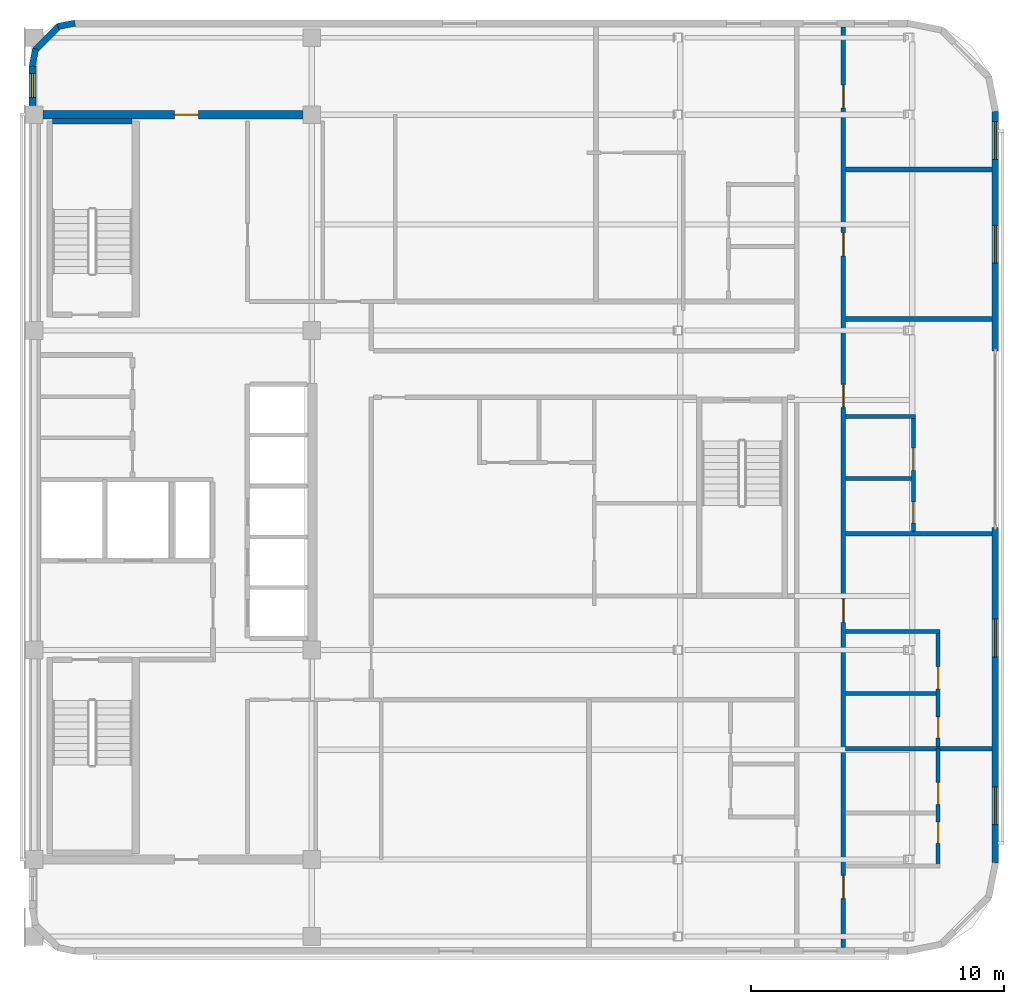
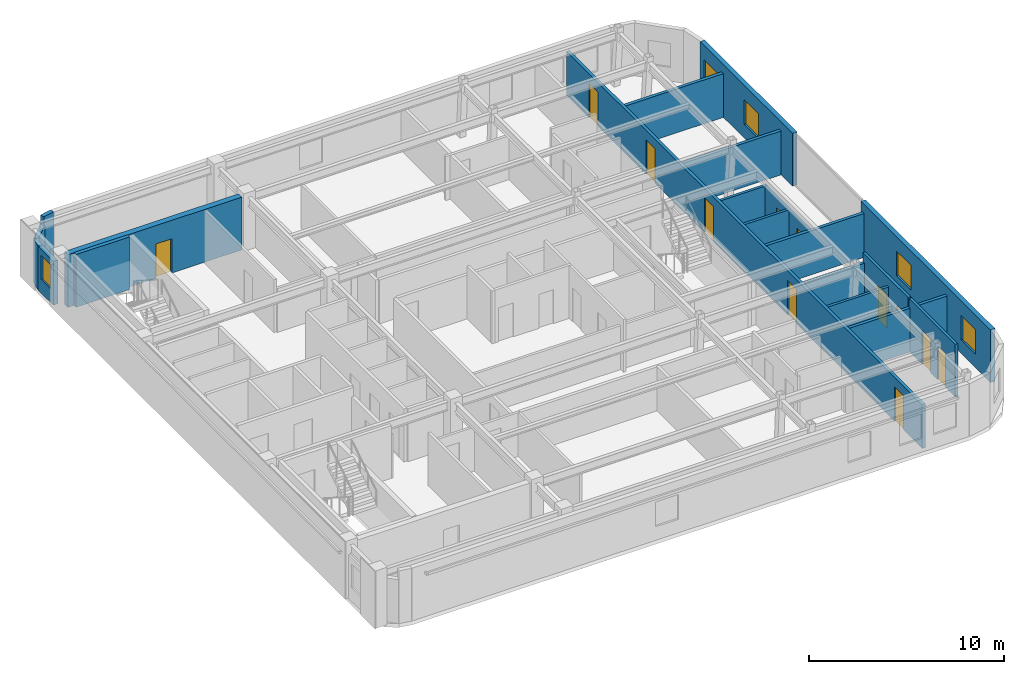
# One storey, part 6 of 11: 20 walls, 12 doors, 5 windows, 17 openings.
"""IFC4 building model written with IfcOpenShell, lengths in metres."""

from ifc_helpers import new_model, si_unit, direction, frame, frame_2d, origin, place, context, subcontext, project, spatial, rectangle, extrude, material, layer, layer_set, type_object, element, fill, save


model = new_model("IFC4")

# Units and contexts
model_context = context("Model", 3, precision=1e-05, world=origin(), true_north=direction((0.0, 1.0)))
body_context = subcontext(model_context, "Body", "Model", "MODEL_VIEW")
ifc_project = project(units=[si_unit("LENGTHUNIT", "METRE"), si_unit("AREAUNIT", "SQUARE_METRE"), si_unit("VOLUMEUNIT", "CUBIC_METRE"), si_unit("PLANEANGLEUNIT", "RADIAN"), si_unit("MASSUNIT", "GRAM", prefix="KILO")], contexts=[model_context])

# Site, building, storey
site_placement = place(None, origin())
site = spatial("IfcSite", under=ifc_project, at=site_placement, CompositionType="ELEMENT")
building_placement = place(site_placement, origin())
building = spatial("IfcBuilding", under=site, at=building_placement, Name="Ochreholt Gables", CompositionType="ELEMENT")
storey_placement = place(building_placement, frame((0.0, 0.0, 278.39990234375)))
storey = spatial("IfcBuildingStorey", under=building, at=storey_placement, Name="L73", CompositionType="ELEMENT", Elevation=278.39990234375)

# Wall, opening, door
ifc_material_1 = material(Name="Concrete 50 MPa", Category="concrete")
ifc_layer_1 = layer(ifc_material_1, 0.35009765625, Name="Concrete 50 MPa")
ifc_layer_set_1 = layer_set([ifc_layer_1], Name="Concrete 50 MPa")
wall_type_1 = type_object("IfcWallType", Name="WALL-CSW-350", PredefinedType="SHEAR", material=ifc_layer_set_1)
wall_1_placement = place(storey_placement, frame((24.550048828125, 38.75, 0.0), z_axis=(0.0, 0.0, 1.0), x_axis=(1.0, 0.0, 0.0)))
wall_1 = element("IfcWall", 1, at=wall_1_placement, inside=storey, type_object=wall_type_1, Name="L73 Core North Shear Wall", PredefinedType="SHEAR", context=body_context, shape_type="SweptSolid", body=[
    extrude(rectangle(XDim=10.300048828125, YDim=0.35009765625, at=frame_2d((5.14990234375, 0.0))), origin(), (0.0, 0.0, 1.0), 3.300048828125),
])
opening_1_placement = place(wall_1_placement, frame((5.199951171875, 0.0, 0.0)))
opening_1 = element("IfcOpeningElement", 2, at=opening_1_placement, cuts=wall_1, Name="Opening D-FL2", PredefinedType="OPENING", context=body_context, shape_type="SweptSolid", body=[
    extrude(rectangle(XDim=0.949951171875, YDim=2.14990234375, at=frame_2d((0.47509765625, 1.074951171875))), frame((0.0, 0.18505859375, 0.0), z_axis=(0.0, -1.0, 0.0), x_axis=(1.0, 0.0, 0.0)), (0.0, 0.0, 1.0), 0.3701171875),
])
ifc_material_2 = material(Name="Hollow Metal Steel", Category="steel")
door_type_1 = type_object("IfcDoorType", Name="DR-INT-FLB950", OperationType="NOTDEFINED", PredefinedType="DOOR", material=ifc_material_2)
door_1_placement = place(opening_1_placement, origin())
door_1 = element("IfcDoor", 3, at=door_1_placement, inside=storey, type_object=door_type_1, Name="L73 Door D-C3NSR-L73", OperationType="SINGLE_SWING_RIGHT", OverallHeight=2.14990234375, OverallWidth=0.949951171875, PredefinedType="DOOR", context=body_context, shape_type="SweptSolid", body=[
    extrude(rectangle(XDim=0.949951171875, YDim=2.14990234375, at=frame_2d((0.47509765625, 1.074951171875))), frame((0.0, 0.02490234375, 0.0), z_axis=(0.0, -1.0, 0.0), x_axis=(1.0, 0.0, 0.0)), (0.0, 0.0, 1.0), 0.050048828125),
])
fill(opening_1, door_1)

# Wall, openings, windows
ifc_material_3 = material(Name="Precast concrete 40 MPa", Category="concrete")
ifc_layer_2 = layer(ifc_material_3, 0.27001953125, Name="Precast concrete 40 MPa")
ifc_layer_set_2 = layer_set([ifc_layer_2], Name="Precast concrete 40 MPa")
wall_type_2 = type_object("IfcWallType", Name="WALL-EXT-270", PredefinedType="SOLIDWALL", material=ifc_layer_set_2)
wall_2_placement = place(storey_placement, frame((62.264892578125, 9.1201171875, 0.0), z_axis=(0.0, 0.0, 1.0), x_axis=(0.0, 1.0, 0.0)))
wall_2 = element("IfcWall", 4, at=wall_2_placement, inside=storey, type_object=wall_type_2, Name="L73 East Facade Wall 1", PredefinedType="SOLIDWALL", context=body_context, shape_type="SweptSolid", body=[
    extrude(rectangle(XDim=13.27978515625, YDim=0.27001953125, at=frame_2d((6.639892578125, 0.0))), origin(), (0.0, 0.0, 1.0), 3.300048828125),
])
opening_2_placement = place(wall_2_placement, frame((1.510009765625, 0.0, 0.85009765625)))
opening_2 = element("IfcOpeningElement", 5, at=opening_2_placement, cuts=wall_2, Name="Opening WN-2", PredefinedType="OPENING", context=body_context, shape_type="SweptSolid", body=[
    extrude(rectangle(XDim=1.5, YDim=1.550048828125, at=frame_2d((0.75, 0.77490234375))), frame((0.0, 0.14501953125, 0.0), z_axis=(0.0, -1.0, 0.0), x_axis=(1.0, 0.0, 0.0)), (0.0, 0.0, 1.0), 0.2900390625),
])
opening_3_placement = place(wall_2_placement, frame((8.14990234375, 0.0, 0.85009765625)))
opening_3 = element("IfcOpeningElement", 6, at=opening_3_placement, cuts=wall_2, Name="Opening WN-2", PredefinedType="OPENING", context=body_context, shape_type="SweptSolid", body=[
    extrude(rectangle(XDim=1.5, YDim=1.550048828125, at=frame_2d((0.75, 0.77490234375))), frame((0.0, 0.14501953125, 0.0), z_axis=(0.0, -1.0, 0.0), x_axis=(1.0, 0.0, 0.0)), (0.0, 0.0, 1.0), 0.2900390625),
])
ifc_material_4 = material(Name="Triple-Glazed Thermally Broken Aluminium Window", Category="aluminium")
window_type_1 = type_object("IfcWindowType", Name="WIN-RES-1500", PartitioningType="SINGLE_PANEL", PredefinedType="WINDOW", material=ifc_material_4)
window_1_placement = place(opening_2_placement, origin())
window_1 = element("IfcWindow", 7, at=window_1_placement, inside=storey, type_object=window_type_1, Name="L73 Window W-EXT-E1-L73-1", OverallHeight=1.550048828125, OverallWidth=1.5, PartitioningType="SINGLE_PANEL", PredefinedType="WINDOW", context=body_context, shape_type="SweptSolid", body=[
    extrude(rectangle(XDim=1.5, YDim=1.550048828125, at=frame_2d((0.75, 0.77490234375))), frame((0.0, 0.030029296875, 0.0), z_axis=(0.0, -1.0, 0.0), x_axis=(1.0, 0.0, 0.0)), (0.0, 0.0, 1.0), 0.06005859375),
])
fill(opening_2, window_1)
window_2_placement = place(opening_3_placement, origin())
window_2 = element("IfcWindow", 8, at=window_2_placement, inside=storey, type_object=window_type_1, Name="L73 Window W-EXT-E1-L73-2", OverallHeight=1.550048828125, OverallWidth=1.5, PartitioningType="SINGLE_PANEL", PredefinedType="WINDOW", context=body_context, shape_type="SweptSolid", body=[
    extrude(rectangle(XDim=1.5, YDim=1.550048828125, at=frame_2d((0.75, 0.77490234375))), frame((0.0, 0.030029296875, 0.0), z_axis=(0.0, -1.0, 0.0), x_axis=(1.0, 0.0, 0.0)), (0.0, 0.0, 1.0), 0.06005859375),
])
fill(opening_3, window_2)

wall_3_placement = place(storey_placement, frame((62.264892578125, 29.39990234375, 0.0), z_axis=(0.0, 0.0, 1.0), x_axis=(0.0, 1.0, 0.0)))
wall_3 = element("IfcWall", 9, at=wall_3_placement, inside=storey, type_object=wall_type_2, Name="L73 East Facade Wall 2", PredefinedType="SOLIDWALL", context=body_context, shape_type="SweptSolid", body=[
    extrude(rectangle(XDim=9.47998046875, YDim=0.27001953125, at=frame_2d((4.739990234375, 0.0))), origin(), (0.0, 0.0, 1.0), 3.300048828125),
])
opening_4_placement = place(wall_3_placement, frame((3.469970703125, 0.0, 0.85009765625)))
opening_4 = element("IfcOpeningElement", 10, at=opening_4_placement, cuts=wall_3, Name="Opening WN-2", PredefinedType="OPENING", context=body_context, shape_type="SweptSolid", body=[
    extrude(rectangle(XDim=1.5, YDim=1.550048828125, at=frame_2d((0.75, 0.77490234375))), frame((0.0, 0.14501953125, 0.0), z_axis=(0.0, -1.0, 0.0), x_axis=(1.0, 0.0, 0.0)), (0.0, 0.0, 1.0), 0.2900390625),
])
opening_5_placement = place(wall_3_placement, frame((7.580078125, 0.0, 0.85009765625)))
opening_5 = element("IfcOpeningElement", 11, at=opening_5_placement, cuts=wall_3, Name="Opening WN-2", PredefinedType="OPENING", context=body_context, shape_type="SweptSolid", body=[
    extrude(rectangle(XDim=1.5, YDim=1.550048828125, at=frame_2d((0.75, 0.77490234375))), frame((0.0, 0.14501953125, 0.0), z_axis=(0.0, -1.0, 0.0), x_axis=(1.0, 0.0, 0.0)), (0.0, 0.0, 1.0), 0.2900390625),
])
window_3_placement = place(opening_4_placement, origin())
window_3 = element("IfcWindow", 12, at=window_3_placement, inside=storey, type_object=window_type_1, Name="L73 Window W-EXT-E2-L73-1", OverallHeight=1.550048828125, OverallWidth=1.5, PartitioningType="SINGLE_PANEL", PredefinedType="WINDOW", context=body_context, shape_type="SweptSolid", body=[
    extrude(rectangle(XDim=1.5, YDim=1.550048828125, at=frame_2d((0.75, 0.77490234375))), frame((0.0, 0.030029296875, 0.0), z_axis=(0.0, -1.0, 0.0), x_axis=(1.0, 0.0, 0.0)), (0.0, 0.0, 1.0), 0.06005859375),
])
fill(opening_4, window_3)
window_4_placement = place(opening_5_placement, origin())
window_4 = element("IfcWindow", 13, at=window_4_placement, inside=storey, type_object=window_type_1, Name="L73 Window W-EXT-E2-L73-2", OverallHeight=1.550048828125, OverallWidth=1.5, PartitioningType="SINGLE_PANEL", PredefinedType="WINDOW", context=body_context, shape_type="SweptSolid", body=[
    extrude(rectangle(XDim=1.5, YDim=1.550048828125, at=frame_2d((0.75, 0.77490234375))), frame((0.0, 0.030029296875, 0.0), z_axis=(0.0, -1.0, 0.0), x_axis=(1.0, 0.0, 0.0)), (0.0, 0.0, 1.0), 0.06005859375),
])
fill(opening_5, window_4)

# Wall, opening, window
wall_4_placement = place(storey_placement, frame((24.135009765625, 39.1201171875, 0.0), z_axis=(0.0, 0.0, 1.0), x_axis=(0.0, 1.0, 0.0)))
wall_4 = element("IfcWall", 14, at=wall_4_placement, inside=storey, type_object=wall_type_2, Name="L73 West Facade North Bay Wall", PredefinedType="SOLIDWALL", context=body_context, shape_type="SweptSolid", body=[
    extrude(rectangle(XDim=1.559814453125, YDim=0.27001953125, at=frame_2d((0.77978515625, 0.0))), origin(), (0.0, 0.0, 1.0), 2.7431640625),
])
opening_6_placement = place(wall_4_placement, frame((0.304931640625, 0.0, 0.85009765625)))
opening_6 = element("IfcOpeningElement", 15, at=opening_6_placement, cuts=wall_4, Name="Opening WN-10", PredefinedType="OPENING", context=body_context, shape_type="SweptSolid", body=[
    extrude(rectangle(XDim=0.949951171875, YDim=1.5, at=frame_2d((0.47509765625, 0.75))), frame((0.0, 0.14501953125, 0.0), z_axis=(0.0, -1.0, 0.0), x_axis=(1.0, 0.0, 0.0)), (0.0, 0.0, 1.0), 0.2900390625),
])
window_type_2 = type_object("IfcWindowType", Name="WIN-RES-950", PartitioningType="SINGLE_PANEL", PredefinedType="WINDOW", material=ifc_material_4)
window_5_placement = place(opening_6_placement, origin())
window_5 = element("IfcWindow", 16, at=window_5_placement, inside=storey, type_object=window_type_2, Name="L73 North Sky Reading West Window", OverallHeight=1.5, OverallWidth=0.949951171875, PartitioningType="SINGLE_PANEL", PredefinedType="WINDOW", context=body_context, shape_type="SweptSolid", body=[
    extrude(rectangle(XDim=0.949951171875, YDim=1.5, at=frame_2d((0.47509765625, 0.75))), frame((0.0, 0.030029296875, 0.0), z_axis=(0.0, -1.0, 0.0), x_axis=(1.0, 0.0, 0.0)), (0.0, 0.0, 1.0), 0.06005859375),
])
fill(opening_6, window_5)

# Walls
ifc_layer_3 = layer(ifc_material_3, 0.25, Name="Precast concrete 40 MPa")
ifc_layer_set_3 = layer_set([ifc_layer_3], Name="Precast concrete 40 MPa")
wall_type_3 = type_object("IfcWallType", Name="WALL-EXT-CNR", PredefinedType="SOLIDWALL", material=ifc_layer_set_3)
wall_5_placement = place(storey_placement, frame((25.81640625, 42.375732421875, 0.0), z_axis=(0.0, 0.0, 1.0), x_axis=(-0.980812594069, -0.194952956674, 0.0)))
element("IfcWall", 17, at=wall_5_placement, inside=storey, type_object=wall_type_3, Name="L73 Rounded Corner Wall NW-1", PredefinedType="SOLIDWALL", context=body_context, shape_type="SweptSolid", body=[
    extrude(rectangle(XDim=0.686279296875, YDim=0.25, at=frame_2d((0.34326171875, 0.0))), origin(), (0.0, 0.0, 1.0), 3.300048828125),
])
wall_6_placement = place(storey_placement, frame((25.19384765625, 42.26904296875, 0.0), z_axis=(0.0, 0.0, 1.0), x_axis=(-0.707106781187, -0.707106781187, 0.0)))
element("IfcWall", 18, at=wall_6_placement, inside=storey, type_object=wall_type_3, Name="L73 Rounded Corner Wall NW-2", PredefinedType="SOLIDWALL", context=body_context, shape_type="SweptSolid", body=[
    extrude(rectangle(XDim=1.36181640625, YDim=0.25, at=frame_2d((0.680908203125, 0.0))), origin(), (0.0, 0.0, 1.0), 2.7431640625),
])
wall_7_placement = place(storey_placement, frame((24.258056640625, 41.356689453125, 0.0), z_axis=(0.0, 0.0, 1.0), x_axis=(-0.194952956674, -0.980812594069, 0.0)))
element("IfcWall", 19, at=wall_7_placement, inside=storey, type_object=wall_type_3, Name="L73 Rounded Corner Wall NW-3", PredefinedType="SOLIDWALL", context=body_context, shape_type="SweptSolid", body=[
    extrude(rectangle(XDim=0.686279296875, YDim=0.25, at=frame_2d((0.34326171875, 0.0))), origin(), (0.0, 0.0, 1.0), 2.7431640625),
])

# Wall, openings, doors
ifc_material_5 = material(Name="Fire-Rated Gypsum Acoustic Partition", Category="gypsum")
ifc_layer_4 = layer(ifc_material_5, 0.179931640625, Name="Fire-Rated Gypsum Acoustic Partition")
ifc_layer_set_4 = layer_set([ifc_layer_4], Name="Fire-Rated Gypsum Acoustic Partition")
wall_type_4 = type_object("IfcWallType", Name="WALL-INT-CR180", PredefinedType="STANDARD", material=ifc_layer_set_4)
wall_8_placement = place(storey_placement, frame((56.25, 5.77001953125, 0.0), z_axis=(0.0, 0.0, 1.0), x_axis=(0.0, 1.0, 0.0)))
wall_8 = element("IfcWall", 20, at=wall_8_placement, inside=storey, type_object=wall_type_4, Name="L73 Interior Wall WI-C3GE-L73", PredefinedType="STANDARD", context=body_context, shape_type="SweptSolid", body=[
    extrude(rectangle(XDim=36.4599609375, YDim=0.179931640625, at=frame_2d((18.22998046875, 0.0))), origin(), (0.0, 0.0, 1.0), 2.7431640625),
])
opening_7_placement = place(wall_8_placement, frame((1.929931640625, 0.0, 0.0)))
opening_7 = element("IfcOpeningElement", 21, at=opening_7_placement, cuts=wall_8, Name="Opening D-UN1", PredefinedType="OPENING", context=body_context, shape_type="SweptSolid", body=[
    extrude(rectangle(XDim=0.919921875, YDim=2.14990234375, at=frame_2d((0.4599609375, 1.074951171875))), frame((0.0, 0.099853515625, 0.0), z_axis=(0.0, -1.0, 0.0), x_axis=(1.0, 0.0, 0.0)), (0.0, 0.0, 1.0), 0.199951171875),
])
opening_8_placement = place(wall_8_placement, frame((12.8701171875, 0.0, 0.0)))
opening_8 = element("IfcOpeningElement", 22, at=opening_8_placement, cuts=wall_8, Name="Opening D-UN1", PredefinedType="OPENING", context=body_context, shape_type="SweptSolid", body=[
    extrude(rectangle(XDim=0.919921875, YDim=2.14990234375, at=frame_2d((0.4599609375, 1.074951171875))), frame((0.0, 0.099853515625, 0.0), z_axis=(0.0, -1.0, 0.0), x_axis=(1.0, 0.0, 0.0)), (0.0, 0.0, 1.0), 0.199951171875),
])
opening_9_placement = place(wall_8_placement, frame((21.3798828125, 0.0, 0.0)))
opening_9 = element("IfcOpeningElement", 23, at=opening_9_placement, cuts=wall_8, Name="Opening D-UN1", PredefinedType="OPENING", context=body_context, shape_type="SweptSolid", body=[
    extrude(rectangle(XDim=0.919921875, YDim=2.14990234375, at=frame_2d((0.4599609375, 1.074951171875))), frame((0.0, 0.099853515625, 0.0), z_axis=(0.0, -1.0, 0.0), x_axis=(1.0, 0.0, 0.0)), (0.0, 0.0, 1.0), 0.199951171875),
])
opening_10_placement = place(wall_8_placement, frame((27.389892578125, 0.0, 0.0)))
opening_10 = element("IfcOpeningElement", 24, at=opening_10_placement, cuts=wall_8, Name="Opening D-UN1", PredefinedType="OPENING", context=body_context, shape_type="SweptSolid", body=[
    extrude(rectangle(XDim=0.919921875, YDim=2.14990234375, at=frame_2d((0.4599609375, 1.074951171875))), frame((0.0, 0.099853515625, 0.0), z_axis=(0.0, -1.0, 0.0), x_axis=(1.0, 0.0, 0.0)), (0.0, 0.0, 1.0), 0.199951171875),
])
opening_11_placement = place(wall_8_placement, frame((33.235107421875, 0.0, 0.0)))
opening_11 = element("IfcOpeningElement", 25, at=opening_11_placement, cuts=wall_8, Name="Opening D-UN1", PredefinedType="OPENING", context=body_context, shape_type="SweptSolid", body=[
    extrude(rectangle(XDim=0.919921875, YDim=2.14990234375, at=frame_2d((0.4599609375, 1.074951171875))), frame((0.0, 0.099853515625, 0.0), z_axis=(0.0, -1.0, 0.0), x_axis=(1.0, 0.0, 0.0)), (0.0, 0.0, 1.0), 0.199951171875),
])
ifc_material_6 = material(Name="Engineered Oak Timber", Category="wood")
door_type_2 = type_object("IfcDoorType", Name="DR-INT-UNT920", OperationType="NOTDEFINED", PredefinedType="DOOR", material=ifc_material_6)
door_2_placement = place(opening_7_placement, origin())
door_2 = element("IfcDoor", 26, at=door_2_placement, inside=storey, type_object=door_type_2, Name="L73 Door D-U-L73E1-ENT", OperationType="SINGLE_SWING_RIGHT", OverallHeight=2.14990234375, OverallWidth=0.919921875, PredefinedType="DOOR", context=body_context, shape_type="SweptSolid", body=[
    extrude(rectangle(XDim=0.919921875, YDim=2.14990234375, at=frame_2d((0.4599609375, 1.074951171875))), frame((0.0, 0.02490234375, 0.0), z_axis=(0.0, -1.0, 0.0), x_axis=(1.0, 0.0, 0.0)), (0.0, 0.0, 1.0), 0.050048828125),
])
fill(opening_7, door_2)
door_3_placement = place(opening_8_placement, origin())
door_3 = element("IfcDoor", 27, at=door_3_placement, inside=storey, type_object=door_type_2, Name="L73 Door D-U-L73E2-ENT", OperationType="SINGLE_SWING_LEFT", OverallHeight=2.14990234375, OverallWidth=0.919921875, PredefinedType="DOOR", context=body_context, shape_type="SweptSolid", body=[
    extrude(rectangle(XDim=0.919921875, YDim=2.14990234375, at=frame_2d((0.4599609375, 1.074951171875))), frame((0.0, 0.02490234375, 0.0), z_axis=(0.0, -1.0, 0.0), x_axis=(1.0, 0.0, 0.0)), (0.0, 0.0, 1.0), 0.050048828125),
])
fill(opening_8, door_3)
door_4_placement = place(opening_9_placement, origin())
door_4 = element("IfcDoor", 28, at=door_4_placement, inside=storey, type_object=door_type_2, Name="L73 Door D-U-L73E3-ENT", OperationType="SINGLE_SWING_RIGHT", OverallHeight=2.14990234375, OverallWidth=0.919921875, PredefinedType="DOOR", context=body_context, shape_type="SweptSolid", body=[
    extrude(rectangle(XDim=0.919921875, YDim=2.14990234375, at=frame_2d((0.4599609375, 1.074951171875))), frame((0.0, 0.02490234375, 0.0), z_axis=(0.0, -1.0, 0.0), x_axis=(1.0, 0.0, 0.0)), (0.0, 0.0, 1.0), 0.050048828125),
])
fill(opening_9, door_4)
door_5_placement = place(opening_10_placement, origin())
door_5 = element("IfcDoor", 29, at=door_5_placement, inside=storey, type_object=door_type_2, Name="L73 Door D-U-L73E4-ENT", OperationType="SINGLE_SWING_LEFT", OverallHeight=2.14990234375, OverallWidth=0.919921875, PredefinedType="DOOR", context=body_context, shape_type="SweptSolid", body=[
    extrude(rectangle(XDim=0.919921875, YDim=2.14990234375, at=frame_2d((0.4599609375, 1.074951171875))), frame((0.0, 0.02490234375, 0.0), z_axis=(0.0, -1.0, 0.0), x_axis=(1.0, 0.0, 0.0)), (0.0, 0.0, 1.0), 0.050048828125),
])
fill(opening_10, door_5)
door_6_placement = place(opening_11_placement, origin())
door_6 = element("IfcDoor", 30, at=door_6_placement, inside=storey, type_object=door_type_2, Name="L73 Door D-U-L73E5-ENT", OperationType="SINGLE_SWING_RIGHT", OverallHeight=2.14990234375, OverallWidth=0.919921875, PredefinedType="DOOR", context=body_context, shape_type="SweptSolid", body=[
    extrude(rectangle(XDim=0.919921875, YDim=2.14990234375, at=frame_2d((0.4599609375, 1.074951171875))), frame((0.0, 0.02490234375, 0.0), z_axis=(0.0, -1.0, 0.0), x_axis=(1.0, 0.0, 0.0)), (0.0, 0.0, 1.0), 0.050048828125),
])
fill(opening_11, door_6)

# Walls
ifc_material_7 = material(Name="Double-Stud Acoustic Demising Wall", Category="gypsum")
ifc_layer_5 = layer(ifc_material_7, 0.18505859375, Name="Double-Stud Acoustic Demising Wall")
ifc_layer_set_5 = layer_set([ifc_layer_5], Name="Double-Stud Acoustic Demising Wall")
wall_type_5 = type_object("IfcWallType", Name="WALL-INT-DM185", PredefinedType="PARTITIONING", material=ifc_layer_set_5)
for number, where, z_axis, x_axis, name in (
    (31, (56.340087890625, 13.639892578125, 0.0), (0.0, 0.0, 1.0), (1.0, 0.0, 0.0), "L73 Interior Wall WI-C3UDE2-L73"),
    (32, (56.340087890625, 22.14990234375, 0.0), (0.0, 0.0, 1.0), (1.0, 0.0, 0.0), "L73 Interior Wall WI-C3UDE3-L73"),
    (33, (56.340087890625, 30.659912109375, 0.0), (0.0, 0.0, 1.0), (1.0, 0.0, 0.0), "L73 Interior Wall WI-C3UDE4-L73"),
    (34, (56.340087890625, 36.580078125, 0.0), (0.0, 0.0, 1.0), (1.0, 0.0, 0.0), "L73 Interior Wall WI-C3UDE5-L73"),
):
    element("IfcWall", number, at=place(storey_placement, frame(where, z_axis=z_axis, x_axis=x_axis)), inside=storey, type_object=wall_type_5, Name=name, PredefinedType="PARTITIONING", context=body_context, shape_type="SweptSolid", body=[
        extrude(rectangle(XDim=5.789794921875, YDim=0.18505859375, at=frame_2d((2.89501953125, 0.0))), origin(), (0.0, 0.0, 1.0), 2.7431640625),
    ])

# Wall, openings, doors
ifc_material_8 = material(Name="Moisture-Resistant Plumbing Chase Wall", Category="gypsum")
ifc_layer_6 = layer(ifc_material_8, 0.159912109375, Name="Moisture-Resistant Plumbing Chase Wall")
ifc_layer_set_6 = layer_set([ifc_layer_6], Name="Moisture-Resistant Plumbing Chase Wall")
wall_type_6 = type_object("IfcWallType", Name="WALL-INT-PL160", PredefinedType="PLUMBINGWALL", material=ifc_layer_set_6)
wall_9_placement = place(storey_placement, frame((60.004150390625, 8.909912109375, 0.0), z_axis=(0.0, 0.0, 1.0), x_axis=(0.0, 1.0, 0.0)))
wall_9 = element("IfcWall", 35, at=wall_9_placement, inside=storey, type_object=wall_type_6, Name="L73 Interior Wall WU-L73E1-WX", PredefinedType="PLUMBINGWALL", context=body_context, shape_type="SweptSolid", body=[
    extrude(rectangle(XDim=4.72998046875, YDim=0.159912109375, at=frame_2d((2.364990234375, 0.0))), origin(), (0.0, 0.0, 1.0), 3.300048828125),
])
opening_12_placement = place(wall_9_placement, frame((0.97998046875, 0.0, 0.0)))
opening_12 = element("IfcOpeningElement", 36, at=opening_12_placement, cuts=wall_9, Name="Opening D-BT2", PredefinedType="OPENING", context=body_context, shape_type="SweptSolid", body=[
    extrude(rectangle(XDim=0.840087890625, YDim=2.1201171875, at=frame_2d((0.419921875, 1.06005859375))), frame((0.0, 0.08984375, 0.0), z_axis=(0.0, -1.0, 0.0), x_axis=(1.0, 0.0, 0.0)), (0.0, 0.0, 1.0), 0.179931640625),
])
opening_13_placement = place(wall_9_placement, frame((2.512939453125, 0.0, 0.0)))
opening_13 = element("IfcOpeningElement", 37, at=opening_13_placement, cuts=wall_9, Name="Opening D-GN2", PredefinedType="OPENING", context=body_context, shape_type="SweptSolid", body=[
    extrude(rectangle(XDim=0.8798828125, YDim=2.1201171875, at=frame_2d((0.43994140625, 1.06005859375))), frame((0.0, 0.08984375, 0.0), z_axis=(0.0, -1.0, 0.0), x_axis=(1.0, 0.0, 0.0)), (0.0, 0.0, 1.0), 0.179931640625),
])
door_type_3 = type_object("IfcDoorType", Name="DR-INT-BTH840", OperationType="NOTDEFINED", PredefinedType="DOOR", material=ifc_material_6)
door_7_placement = place(opening_12_placement, origin())
door_7 = element("IfcDoor", 38, at=door_7_placement, inside=storey, type_object=door_type_3, Name="L73 Door D-U-L73E1-BTH", OperationType="SINGLE_SWING_LEFT", OverallHeight=2.1201171875, OverallWidth=0.840087890625, PredefinedType="DOOR", context=body_context, shape_type="SweptSolid", body=[
    extrude(rectangle(XDim=0.840087890625, YDim=2.1201171875, at=frame_2d((0.419921875, 1.06005859375))), frame((0.0, 0.02490234375, 0.0), z_axis=(0.0, -1.0, 0.0), x_axis=(1.0, 0.0, 0.0)), (0.0, 0.0, 1.0), 0.050048828125),
])
fill(opening_12, door_7)
door_type_4 = type_object("IfcDoorType", Name="DR-INT-GEN880", OperationType="NOTDEFINED", PredefinedType="DOOR", material=ifc_material_6)
door_8_placement = place(opening_13_placement, origin())
door_8 = element("IfcDoor", 39, at=door_8_placement, inside=storey, type_object=door_type_4, Name="L73 Door D-U-L73E1-KIT", OperationType="SINGLE_SWING_RIGHT", OverallHeight=2.1201171875, OverallWidth=0.8798828125, PredefinedType="DOOR", context=body_context, shape_type="SweptSolid", body=[
    extrude(rectangle(XDim=0.8798828125, YDim=2.1201171875, at=frame_2d((0.43994140625, 1.06005859375))), frame((0.0, 0.02490234375, 0.0), z_axis=(0.0, -1.0, 0.0), x_axis=(1.0, 0.0, 0.0)), (0.0, 0.0, 1.0), 0.050048828125),
])
fill(opening_13, door_8)

# Wall
wall_10_placement = place(storey_placement, frame((56.340087890625, 18.280029296875, 0.0), z_axis=(0.0, 0.0, 1.0), x_axis=(1.0, 0.0, 0.0)))
element("IfcWall", 40, at=wall_10_placement, inside=storey, type_object=wall_type_6, Name="L73 Interior Wall WU-L73E2-WYN", PredefinedType="PLUMBINGWALL", context=body_context, shape_type="SweptSolid", body=[
    extrude(rectangle(XDim=3.744140625, YDim=0.159912109375, at=frame_2d((1.8720703125, 0.0))), origin(), (0.0, 0.0, 1.0), 2.7431640625),
])

# Wall, openings, doors
wall_11_placement = place(storey_placement, frame((60.004150390625, 13.732421875, 0.0), z_axis=(0.0, 0.0, 1.0), x_axis=(0.0, 1.0, 0.0)))
wall_11 = element("IfcWall", 41, at=wall_11_placement, inside=storey, type_object=wall_type_6, Name="L73 Interior Wall WU-L73E2-WX", PredefinedType="PLUMBINGWALL", context=body_context, shape_type="SweptSolid", body=[
    extrude(rectangle(XDim=4.6376953125, YDim=0.159912109375, at=frame_2d((2.31884765625, 0.0))), origin(), (0.0, 0.0, 1.0), 3.300048828125),
])
opening_14_placement = place(wall_11_placement, frame((0.327392578125, 0.0, 0.0)))
opening_14 = element("IfcOpeningElement", 42, at=opening_14_placement, cuts=wall_11, Name="Opening D-BT2", PredefinedType="OPENING", context=body_context, shape_type="SweptSolid", body=[
    extrude(rectangle(XDim=0.840087890625, YDim=2.1201171875, at=frame_2d((0.419921875, 1.06005859375))), frame((0.0, 0.08984375, 0.0), z_axis=(0.0, -1.0, 0.0), x_axis=(1.0, 0.0, 0.0)), (0.0, 0.0, 1.0), 0.179931640625),
])
opening_15_placement = place(wall_11_placement, frame((2.280517578125, 0.0, 0.0)))
opening_15 = element("IfcOpeningElement", 43, at=opening_15_placement, cuts=wall_11, Name="Opening D-GN2", PredefinedType="OPENING", context=body_context, shape_type="SweptSolid", body=[
    extrude(rectangle(XDim=0.8798828125, YDim=2.1201171875, at=frame_2d((0.43994140625, 1.06005859375))), frame((0.0, 0.08984375, 0.0), z_axis=(0.0, -1.0, 0.0), x_axis=(1.0, 0.0, 0.0)), (0.0, 0.0, 1.0), 0.179931640625),
])
door_9_placement = place(opening_14_placement, origin())
door_9 = element("IfcDoor", 44, at=door_9_placement, inside=storey, type_object=door_type_3, Name="L73 Door D-U-L73E2-BTH", OperationType="SINGLE_SWING_RIGHT", OverallHeight=2.1201171875, OverallWidth=0.840087890625, PredefinedType="DOOR", context=body_context, shape_type="SweptSolid", body=[
    extrude(rectangle(XDim=0.840087890625, YDim=2.1201171875, at=frame_2d((0.419921875, 1.06005859375))), frame((0.0, 0.02490234375, 0.0), z_axis=(0.0, -1.0, 0.0), x_axis=(1.0, 0.0, 0.0)), (0.0, 0.0, 1.0), 0.050048828125),
])
fill(opening_14, door_9)
door_10_placement = place(opening_15_placement, origin())
door_10 = element("IfcDoor", 45, at=door_10_placement, inside=storey, type_object=door_type_4, Name="L73 Door D-U-L73E2-KIT", OperationType="SINGLE_SWING_LEFT", OverallHeight=2.1201171875, OverallWidth=0.8798828125, PredefinedType="DOOR", context=body_context, shape_type="SweptSolid", body=[
    extrude(rectangle(XDim=0.8798828125, YDim=2.1201171875, at=frame_2d((0.43994140625, 1.06005859375))), frame((0.0, 0.02490234375, 0.0), z_axis=(0.0, -1.0, 0.0), x_axis=(1.0, 0.0, 0.0)), (0.0, 0.0, 1.0), 0.050048828125),
])
fill(opening_15, door_10)

# Walls
wall_12_placement = place(storey_placement, frame((56.340087890625, 15.822998046875, 0.0), z_axis=(0.0, 0.0, 1.0), x_axis=(1.0, 0.0, 0.0)))
element("IfcWall", 46, at=wall_12_placement, inside=storey, type_object=wall_type_6, Name="L73 Interior Wall WU-L73E2-WM", PredefinedType="PLUMBINGWALL", context=body_context, shape_type="SweptSolid", body=[
    extrude(rectangle(XDim=3.584228515625, YDim=0.159912109375, at=frame_2d((1.7919921875, 0.0))), origin(), (0.0, 0.0, 1.0), 2.7431640625),
])
wall_13_placement = place(storey_placement, frame((56.340087890625, 26.7900390625, 0.0), z_axis=(0.0, 0.0, 1.0), x_axis=(1.0, 0.0, 0.0)))
element("IfcWall", 47, at=wall_13_placement, inside=storey, type_object=wall_type_6, Name="L73 Interior Wall WU-L73E3-WYN", PredefinedType="PLUMBINGWALL", context=body_context, shape_type="SweptSolid", body=[
    extrude(rectangle(XDim=2.7578125, YDim=0.159912109375, at=frame_2d((1.37890625, 0.0))), origin(), (0.0, 0.0, 1.0), 2.7431640625),
])

# Wall, openings, doors
wall_14_placement = place(storey_placement, frame((59.01806640625, 22.242431640625, 0.0), z_axis=(0.0, 0.0, 1.0), x_axis=(0.0, 1.0, 0.0)))
wall_14 = element("IfcWall", 48, at=wall_14_placement, inside=storey, type_object=wall_type_6, Name="L73 Interior Wall WU-L73E3-WX", PredefinedType="PLUMBINGWALL", context=body_context, shape_type="SweptSolid", body=[
    extrude(rectangle(XDim=4.637451171875, YDim=0.159912109375, at=frame_2d((2.31884765625, 0.0))), origin(), (0.0, 0.0, 1.0), 2.7431640625),
])
opening_16_placement = place(wall_14_placement, frame((0.327392578125, 0.0, 0.0)))
opening_16 = element("IfcOpeningElement", 49, at=opening_16_placement, cuts=wall_14, Name="Opening D-BT2", PredefinedType="OPENING", context=body_context, shape_type="SweptSolid", body=[
    extrude(rectangle(XDim=0.840087890625, YDim=2.1201171875, at=frame_2d((0.419921875, 1.06005859375))), frame((0.0, 0.08984375, 0.0), z_axis=(0.0, -1.0, 0.0), x_axis=(1.0, 0.0, 0.0)), (0.0, 0.0, 1.0), 0.179931640625),
])
opening_17_placement = place(wall_14_placement, frame((2.42041015625, 0.0, 0.0)))
opening_17 = element("IfcOpeningElement", 50, at=opening_17_placement, cuts=wall_14, Name="Opening D-GN2", PredefinedType="OPENING", context=body_context, shape_type="SweptSolid", body=[
    extrude(rectangle(XDim=0.8798828125, YDim=2.1201171875, at=frame_2d((0.43994140625, 1.06005859375))), frame((0.0, 0.08984375, 0.0), z_axis=(0.0, -1.0, 0.0), x_axis=(1.0, 0.0, 0.0)), (0.0, 0.0, 1.0), 0.179931640625),
])
door_11_placement = place(opening_16_placement, origin())
door_11 = element("IfcDoor", 51, at=door_11_placement, inside=storey, type_object=door_type_3, Name="L73 Door D-U-L73E3-BTH", OperationType="SINGLE_SWING_LEFT", OverallHeight=2.1201171875, OverallWidth=0.840087890625, PredefinedType="DOOR", context=body_context, shape_type="SweptSolid", body=[
    extrude(rectangle(XDim=0.840087890625, YDim=2.1201171875, at=frame_2d((0.419921875, 1.06005859375))), frame((0.0, 0.02490234375, 0.0), z_axis=(0.0, -1.0, 0.0), x_axis=(1.0, 0.0, 0.0)), (0.0, 0.0, 1.0), 0.050048828125),
])
fill(opening_16, door_11)
door_12_placement = place(opening_17_placement, origin())
door_12 = element("IfcDoor", 52, at=door_12_placement, inside=storey, type_object=door_type_4, Name="L73 Door D-U-L73E3-KIT", OperationType="SINGLE_SWING_RIGHT", OverallHeight=2.1201171875, OverallWidth=0.8798828125, PredefinedType="DOOR", context=body_context, shape_type="SweptSolid", body=[
    extrude(rectangle(XDim=0.8798828125, YDim=2.1201171875, at=frame_2d((0.43994140625, 1.06005859375))), frame((0.0, 0.02490234375, 0.0), z_axis=(0.0, -1.0, 0.0), x_axis=(1.0, 0.0, 0.0)), (0.0, 0.0, 1.0), 0.050048828125),
])
fill(opening_17, door_12)

# Walls
wall_15_placement = place(storey_placement, frame((56.340087890625, 24.3330078125, 0.0), z_axis=(0.0, 0.0, 1.0), x_axis=(1.0, 0.0, 0.0)))
element("IfcWall", 53, at=wall_15_placement, inside=storey, type_object=wall_type_6, Name="L73 Interior Wall WU-L73E3-WM", PredefinedType="PLUMBINGWALL", context=body_context, shape_type="SweptSolid", body=[
    extrude(rectangle(XDim=2.597900390625, YDim=0.159912109375, at=frame_2d((1.298828125, 0.0))), origin(), (0.0, 0.0, 1.0), 2.7431640625),
])
ifc_layer_7 = layer(ifc_material_1, 0.219970703125, Name="Concrete 50 MPa")
ifc_layer_set_7 = layer_set([ifc_layer_7], Name="Concrete 50 MPa")
wall_type_7 = type_object("IfcWallType", Name="WALL-STW-220", PredefinedType="SHEAR", material=ifc_layer_set_7)
wall_16_placement = place(storey_placement, frame((24.919921875, 38.489990234375, 0.0), z_axis=(0.0, 0.0, 1.0), x_axis=(1.0, 0.0, 0.0)))
element("IfcWall", 54, at=wall_16_placement, inside=storey, type_object=wall_type_7, Name="L73 Exit Stair 2 North Wall", PredefinedType="SHEAR", context=body_context, shape_type="SweptSolid", body=[
    extrude(rectangle(XDim=3.16015625, YDim=0.219970703125, at=frame_2d((1.580078125, 0.0))), origin(), (0.0, 0.0, 1.0), 3.300048828125),
])

save(model, "model.ifc")
